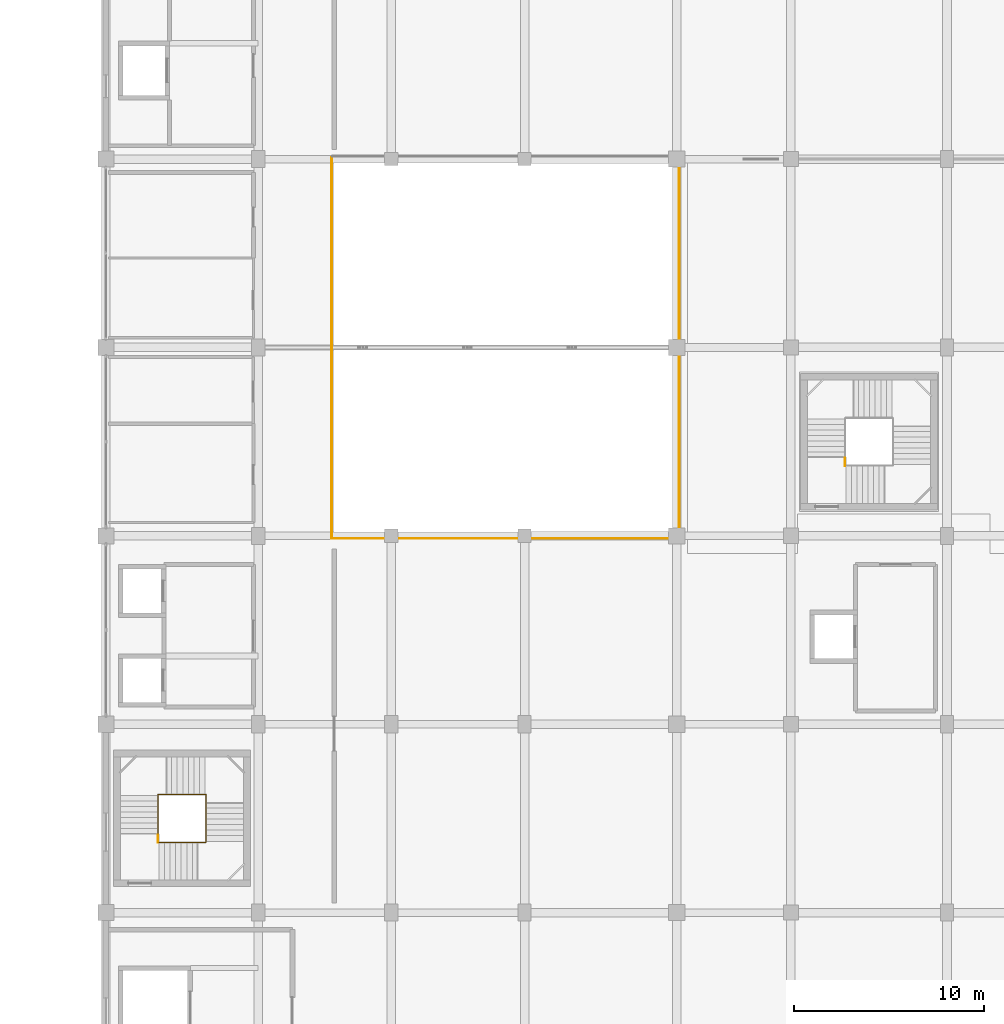
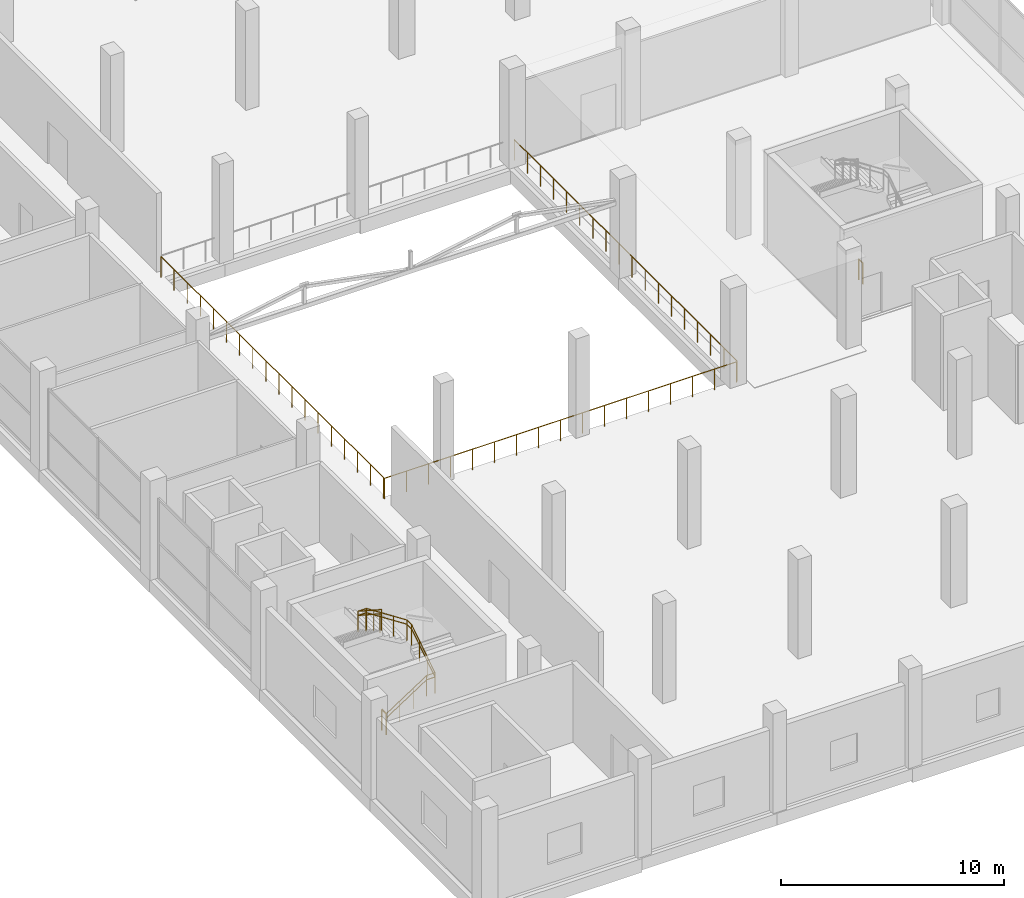
# One storey, part 70 of 74: 7 railings.
"""IFC4 building model written with IfcOpenShell, lengths in metres."""

from ifc_helpers import new_model, si_unit, direction, frame, origin, origin_2d, place, context, subcontext, project, spatial, circle, extrude, material, type_object, element, save


model = new_model("IFC4")

# Units and contexts
model_context = context("Model", 3, precision=1e-05, world=origin(), true_north=direction((0.0, 1.0)))
body_context = subcontext(model_context, "Body", "Model", "MODEL_VIEW")
ifc_project = project(units=[si_unit("LENGTHUNIT", "METRE"), si_unit("AREAUNIT", "SQUARE_METRE"), si_unit("VOLUMEUNIT", "CUBIC_METRE"), si_unit("PLANEANGLEUNIT", "RADIAN"), si_unit("MASSUNIT", "GRAM", prefix="KILO")], contexts=[model_context])

# Site, building, storey
site_placement = place(None, origin())
site = spatial("IfcSite", under=ifc_project, at=site_placement, CompositionType="ELEMENT")
building_placement = place(site_placement, origin())
building = spatial("IfcBuilding", under=site, at=building_placement, Name="Sillaruma Civic Art Gallery", CompositionType="ELEMENT")
storey_placement = place(building_placement, frame((0.0, 0.0, 5.43994140625)))
storey = spatial("IfcBuildingStorey", under=building, at=storey_placement, Name="L01", CompositionType="ELEMENT", Elevation=5.43994140625)

# Railings
ifc_material = material(Name="Stainless Steel AISI 316", Category="steel")
railing_type_1 = type_object("IfcRailingType", Name="RAL-BAL-1150", PredefinedType="BALUSTRADE", material=ifc_material)
railing_1_placement = place(storey_placement, frame((64.739990234375, 33.389892578125, 0.0)))
element("IfcRailing", 1, at=railing_1_placement, inside=storey, type_object=railing_type_1, Name="Stair Floor Edge Guard (ST-03:L01)", PredefinedType="BALUSTRADE", context=body_context, shape_type="SweptSolid", body=[
    extrude(circle(Radius=0.02392578125, at=origin_2d()), frame((0.0, 0.0, 1.1259765625), z_axis=(0.0, 1.0, 0.0), x_axis=(-1.0, 0.0, 0.0)), (0.0, 0.0, 1.0), 0.39013671875),
    extrude(circle(Radius=0.02099609375, at=origin_2d()), origin(), (0.0, 0.0, 1.0), 1.101806640625),
    extrude(circle(Radius=0.02099609375, at=origin_2d()), frame((0.0, 0.39013671875, 0.0)), (0.0, 0.0, 1.0), 1.101806640625),
])
railing_2_placement = place(storey_placement, frame((64.739990234375, 33.389892578125, 0.0)))
element("IfcRailing", 2, at=railing_2_placement, inside=storey, type_object=railing_type_1, Name="Stair Well Balustrade (ST-03-L01)", PredefinedType="BALUSTRADE", context=body_context, shape_type="SweptSolid", body=[
    extrude(circle(Radius=0.02392578125, at=origin_2d()), frame((0.0, 0.0, 1.1259765625), z_axis=(0.838159424827, 0.0, 0.545425318971), x_axis=(0.0, 1.0, 0.0)), (0.0, 0.0, 1.0), 2.49365234375),
    extrude(circle(Radius=0.02392578125, at=origin_2d()), frame((2.090087890625, 0.0, 2.48583984375), z_axis=(1.0, 0.0, 0.0), x_axis=(0.0, 1.0, 0.0)), (0.0, 0.0, 1.0), 0.429931640625),
    extrude(circle(Radius=0.02392578125, at=origin_2d()), frame((2.52001953125, 0.0, 2.48583984375), z_axis=(0.0, 0.838204181713, 0.545356534534), x_axis=(-1.0, 0.0, 0.0)), (0.0, 0.0, 1.0), 2.49365234375),
    extrude(circle(Radius=0.02392578125, at=origin_2d()), frame((2.52001953125, 2.090087890625, 3.845703125), z_axis=(0.0, 1.0, 0.0), x_axis=(-1.0, 0.0, 0.0)), (0.0, 0.0, 1.0), 0.429931640625),
    extrude(circle(Radius=0.02392578125, at=origin_2d()), frame((2.52001953125, 2.52001953125, 3.845703125), z_axis=(-0.838159424827, 0.0, 0.545425318971), x_axis=(0.0, -1.0, 0.0)), (0.0, 0.0, 1.0), 2.49365234375),
    extrude(circle(Radius=0.02392578125, at=origin_2d()), frame((0.429931640625, 2.52001953125, 5.2060546875), z_axis=(-1.0, 0.0, 0.0), x_axis=(0.0, -1.0, 0.0)), (0.0, 0.0, 1.0), 0.429931640625),
    extrude(circle(Radius=0.02392578125, at=origin_2d()), frame((0.0, 2.52001953125, 5.2060546875), z_axis=(0.0, -0.838175058464, 0.545401293883), x_axis=(1.0, 0.0, 0.0)), (0.0, 0.0, 1.0), 2.493408203125),
    extrude(circle(Radius=0.02099609375, at=origin_2d()), origin(), (0.0, 0.0, 1.0), 1.101806640625),
    extrude(circle(Radius=0.02099609375, at=origin_2d()), frame((0.69677734375, 0.0, 0.453369140625)), (0.0, 0.0, 1.0), 1.101806640625),
    extrude(circle(Radius=0.02099609375, at=origin_2d()), frame((1.393310546875, 0.0, 0.90673828125)), (0.0, 0.0, 1.0), 1.101806640625),
    extrude(circle(Radius=0.02099609375, at=origin_2d()), frame((2.090087890625, 0.0, 1.360107421875)), (0.0, 0.0, 1.0), 1.101806640625),
    extrude(circle(Radius=0.02099609375, at=origin_2d()), frame((2.52001953125, 0.0, 1.360107421875)), (0.0, 0.0, 1.0), 1.101806640625),
    extrude(circle(Radius=0.02099609375, at=origin_2d()), frame((2.52001953125, 0.69677734375, 1.8134765625)), (0.0, 0.0, 1.0), 1.101806640625),
    extrude(circle(Radius=0.02099609375, at=origin_2d()), frame((2.52001953125, 1.393310546875, 2.2666015625)), (0.0, 0.0, 1.0), 1.101806640625),
    extrude(circle(Radius=0.02099609375, at=origin_2d()), frame((2.52001953125, 2.090087890625, 2.719970703125)), (0.0, 0.0, 1.0), 1.101806640625),
    extrude(circle(Radius=0.02099609375, at=origin_2d()), frame((2.52001953125, 2.52001953125, 2.719970703125)), (0.0, 0.0, 1.0), 1.101806640625),
    extrude(circle(Radius=0.02099609375, at=origin_2d()), frame((1.8232421875, 2.52001953125, 3.17333984375)), (0.0, 0.0, 1.0), 1.101806640625),
    extrude(circle(Radius=0.02099609375, at=origin_2d()), frame((1.126708984375, 2.52001953125, 3.626708984375)), (0.0, 0.0, 1.0), 1.101806640625),
    extrude(circle(Radius=0.02099609375, at=origin_2d()), frame((0.429931640625, 2.52001953125, 4.080078125)), (0.0, 0.0, 1.0), 1.101806640625),
    extrude(circle(Radius=0.02099609375, at=origin_2d()), frame((0.0, 2.52001953125, 4.080078125)), (0.0, 0.0, 1.0), 1.101806640625),
    extrude(circle(Radius=0.02099609375, at=origin_2d()), frame((0.0, 1.823486328125, 4.533447265625)), (0.0, 0.0, 1.0), 1.101806640625),
    extrude(circle(Radius=0.02099609375, at=origin_2d()), frame((0.0, 1.126708984375, 4.986572265625)), (0.0, 0.0, 1.0), 1.101806640625),
    extrude(circle(Radius=0.02099609375, at=origin_2d()), frame((0.0, 0.43017578125, 5.43994140625)), (0.0, 0.0, 1.0), 1.101806640625),
])
railing_3_placement = place(storey_placement, frame((100.840087890625, 53.18994140625, 0.0)))
element("IfcRailing", 3, at=railing_3_placement, inside=storey, type_object=railing_type_1, Name="Stair Floor Edge Guard (ST-04:L01)", PredefinedType="BALUSTRADE", context=body_context, shape_type="SweptSolid", body=[
    extrude(circle(Radius=0.02392578125, at=origin_2d()), frame((0.0, 0.0, 1.1259765625), z_axis=(0.0, 1.0, 0.0), x_axis=(-1.0, 0.0, 0.0)), (0.0, 0.0, 1.0), 0.39013671875),
    extrude(circle(Radius=0.02099609375, at=origin_2d()), origin(), (0.0, 0.0, 1.0), 1.101806640625),
    extrude(circle(Radius=0.02099609375, at=origin_2d()), frame((0.0, 0.39013671875, 0.0)), (0.0, 0.0, 1.0), 1.101806640625),
])
railing_4_placement = place(storey_placement, frame((73.860107421875, 49.360107421875, 0.0)))
element("IfcRailing", 4, at=railing_4_placement, inside=storey, type_object=railing_type_1, Name="Sculpture Court Upper Void Balustrade (S)", PredefinedType="BALUSTRADE", context=body_context, shape_type="SweptSolid", body=[
    extrude(circle(Radius=0.02392578125, at=origin_2d()), frame((0.0, 0.0, 1.1259765625), z_axis=(1.0, 0.0, 0.0), x_axis=(0.0, 1.0, 0.0)), (0.0, 0.0, 1.0), 18.219970703125),
    extrude(circle(Radius=0.02099609375, at=origin_2d()), origin(), (0.0, 0.0, 1.0), 1.101806640625),
    extrude(circle(Radius=0.02099609375, at=origin_2d()), frame((1.138671875, 0.0, 0.0)), (0.0, 0.0, 1.0), 1.101806640625),
    extrude(circle(Radius=0.02099609375, at=origin_2d()), frame((2.277587890625, 0.0, 0.0)), (0.0, 0.0, 1.0), 1.101806640625),
    extrude(circle(Radius=0.02099609375, at=origin_2d()), frame((3.416259765625, 0.0, 0.0)), (0.0, 0.0, 1.0), 1.101806640625),
    extrude(circle(Radius=0.02099609375, at=origin_2d()), frame((4.554931640625, 0.0, 0.0)), (0.0, 0.0, 1.0), 1.101806640625),
    extrude(circle(Radius=0.02099609375, at=origin_2d()), frame((5.69384765625, 0.0, 0.0)), (0.0, 0.0, 1.0), 1.101806640625),
    extrude(circle(Radius=0.02099609375, at=origin_2d()), frame((6.83251953125, 0.0, 0.0)), (0.0, 0.0, 1.0), 1.101806640625),
    extrude(circle(Radius=0.02099609375, at=origin_2d()), frame((7.97119140625, 0.0, 0.0)), (0.0, 0.0, 1.0), 1.101806640625),
    extrude(circle(Radius=0.02099609375, at=origin_2d()), frame((9.10986328125, 0.0, 0.0)), (0.0, 0.0, 1.0), 1.101806640625),
    extrude(circle(Radius=0.02099609375, at=origin_2d()), frame((10.248779296875, 0.0, 0.0)), (0.0, 0.0, 1.0), 1.101806640625),
    extrude(circle(Radius=0.02099609375, at=origin_2d()), frame((11.387451171875, 0.0, 0.0)), (0.0, 0.0, 1.0), 1.101806640625),
    extrude(circle(Radius=0.02099609375, at=origin_2d()), frame((12.526123046875, 0.0, 0.0)), (0.0, 0.0, 1.0), 1.101806640625),
    extrude(circle(Radius=0.02099609375, at=origin_2d()), frame((13.6650390625, 0.0, 0.0)), (0.0, 0.0, 1.0), 1.101806640625),
    extrude(circle(Radius=0.02099609375, at=origin_2d()), frame((14.8037109375, 0.0, 0.0)), (0.0, 0.0, 1.0), 1.101806640625),
    extrude(circle(Radius=0.02099609375, at=origin_2d()), frame((15.9423828125, 0.0, 0.0)), (0.0, 0.0, 1.0), 1.101806640625),
    extrude(circle(Radius=0.02099609375, at=origin_2d()), frame((17.081298828125, 0.0, 0.0)), (0.0, 0.0, 1.0), 1.101806640625),
    extrude(circle(Radius=0.02099609375, at=origin_2d()), frame((18.219970703125, 0.0, 0.0)), (0.0, 0.0, 1.0), 1.101806640625),
])
railing_5_placement = place(storey_placement, frame((92.139892578125, 49.419921875, 0.0)))
element("IfcRailing", 5, at=railing_5_placement, inside=storey, type_object=railing_type_1, Name="Sculpture Court Upper Void Balustrade (E)", PredefinedType="BALUSTRADE", context=body_context, shape_type="SweptSolid", body=[
    extrude(circle(Radius=0.02392578125, at=origin_2d()), frame((0.0, 0.0, 1.1259765625), z_axis=(0.0, 1.0, 0.0), x_axis=(-1.0, 0.0, 0.0)), (0.0, 0.0, 1.0), 19.9599609375),
    extrude(circle(Radius=0.02099609375, at=origin_2d()), origin(), (0.0, 0.0, 1.0), 1.101806640625),
    extrude(circle(Radius=0.02099609375, at=origin_2d()), frame((0.0, 1.174072265625, 0.0)), (0.0, 0.0, 1.0), 1.101806640625),
    extrude(circle(Radius=0.02099609375, at=origin_2d()), frame((0.0, 2.34814453125, 0.0)), (0.0, 0.0, 1.0), 1.101806640625),
    extrude(circle(Radius=0.02099609375, at=origin_2d()), frame((0.0, 3.5224609375, 0.0)), (0.0, 0.0, 1.0), 1.101806640625),
    extrude(circle(Radius=0.02099609375, at=origin_2d()), frame((0.0, 4.696533203125, 0.0)), (0.0, 0.0, 1.0), 1.101806640625),
    extrude(circle(Radius=0.02099609375, at=origin_2d()), frame((0.0, 5.87060546875, 0.0)), (0.0, 0.0, 1.0), 1.101806640625),
    extrude(circle(Radius=0.02099609375, at=origin_2d()), frame((0.0, 7.044677734375, 0.0)), (0.0, 0.0, 1.0), 1.101806640625),
    extrude(circle(Radius=0.02099609375, at=origin_2d()), frame((0.0, 8.21875, 0.0)), (0.0, 0.0, 1.0), 1.101806640625),
    extrude(circle(Radius=0.02099609375, at=origin_2d()), frame((0.0, 9.392822265625, 0.0)), (0.0, 0.0, 1.0), 1.101806640625),
    extrude(circle(Radius=0.02099609375, at=origin_2d()), frame((0.0, 10.567138671875, 0.0)), (0.0, 0.0, 1.0), 1.101806640625),
    extrude(circle(Radius=0.02099609375, at=origin_2d()), frame((0.0, 11.7412109375, 0.0)), (0.0, 0.0, 1.0), 1.101806640625),
    extrude(circle(Radius=0.02099609375, at=origin_2d()), frame((0.0, 12.915283203125, 0.0)), (0.0, 0.0, 1.0), 1.101806640625),
    extrude(circle(Radius=0.02099609375, at=origin_2d()), frame((0.0, 14.08935546875, 0.0)), (0.0, 0.0, 1.0), 1.101806640625),
    extrude(circle(Radius=0.02099609375, at=origin_2d()), frame((0.0, 15.263427734375, 0.0)), (0.0, 0.0, 1.0), 1.101806640625),
    extrude(circle(Radius=0.02099609375, at=origin_2d()), frame((0.0, 16.4375, 0.0)), (0.0, 0.0, 1.0), 1.101806640625),
    extrude(circle(Radius=0.02099609375, at=origin_2d()), frame((0.0, 17.61181640625, 0.0)), (0.0, 0.0, 1.0), 1.101806640625),
    extrude(circle(Radius=0.02099609375, at=origin_2d()), frame((0.0, 18.785888671875, 0.0)), (0.0, 0.0, 1.0), 1.101806640625),
    extrude(circle(Radius=0.02099609375, at=origin_2d()), frame((0.0, 19.9599609375, 0.0)), (0.0, 0.0, 1.0), 1.101806640625),
])
railing_6_placement = place(storey_placement, frame((73.860107421875, 69.3798828125, 0.0)))
element("IfcRailing", 6, at=railing_6_placement, inside=storey, type_object=railing_type_1, Name="Sculpture Court Upper Void Balustrade (W)", PredefinedType="BALUSTRADE", context=body_context, shape_type="SweptSolid", body=[
    extrude(circle(Radius=0.02392578125, at=origin_2d()), frame((0.0, 0.0, 1.1259765625), z_axis=(0.0, -1.0, 0.0), x_axis=(1.0, 0.0, 0.0)), (0.0, 0.0, 1.0), 19.9599609375),
    extrude(circle(Radius=0.02099609375, at=origin_2d()), origin(), (0.0, 0.0, 1.0), 1.101806640625),
    extrude(circle(Radius=0.02099609375, at=origin_2d()), frame((0.0, -1.174072265625, 0.0)), (0.0, 0.0, 1.0), 1.101806640625),
    extrude(circle(Radius=0.02099609375, at=origin_2d()), frame((0.0, -2.34814453125, 0.0)), (0.0, 0.0, 1.0), 1.101806640625),
    extrude(circle(Radius=0.02099609375, at=origin_2d()), frame((0.0, -3.5224609375, 0.0)), (0.0, 0.0, 1.0), 1.101806640625),
    extrude(circle(Radius=0.02099609375, at=origin_2d()), frame((0.0, -4.696533203125, 0.0)), (0.0, 0.0, 1.0), 1.101806640625),
    extrude(circle(Radius=0.02099609375, at=origin_2d()), frame((0.0, -5.87060546875, 0.0)), (0.0, 0.0, 1.0), 1.101806640625),
    extrude(circle(Radius=0.02099609375, at=origin_2d()), frame((0.0, -7.044677734375, 0.0)), (0.0, 0.0, 1.0), 1.101806640625),
    extrude(circle(Radius=0.02099609375, at=origin_2d()), frame((0.0, -8.21875, 0.0)), (0.0, 0.0, 1.0), 1.101806640625),
    extrude(circle(Radius=0.02099609375, at=origin_2d()), frame((0.0, -9.392822265625, 0.0)), (0.0, 0.0, 1.0), 1.101806640625),
    extrude(circle(Radius=0.02099609375, at=origin_2d()), frame((0.0, -10.567138671875, 0.0)), (0.0, 0.0, 1.0), 1.101806640625),
    extrude(circle(Radius=0.02099609375, at=origin_2d()), frame((0.0, -11.7412109375, 0.0)), (0.0, 0.0, 1.0), 1.101806640625),
    extrude(circle(Radius=0.02099609375, at=origin_2d()), frame((0.0, -12.915283203125, 0.0)), (0.0, 0.0, 1.0), 1.101806640625),
    extrude(circle(Radius=0.02099609375, at=origin_2d()), frame((0.0, -14.08935546875, 0.0)), (0.0, 0.0, 1.0), 1.101806640625),
    extrude(circle(Radius=0.02099609375, at=origin_2d()), frame((0.0, -15.263427734375, 0.0)), (0.0, 0.0, 1.0), 1.101806640625),
    extrude(circle(Radius=0.02099609375, at=origin_2d()), frame((0.0, -16.4375, 0.0)), (0.0, 0.0, 1.0), 1.101806640625),
    extrude(circle(Radius=0.02099609375, at=origin_2d()), frame((0.0, -17.61181640625, 0.0)), (0.0, 0.0, 1.0), 1.101806640625),
    extrude(circle(Radius=0.02099609375, at=origin_2d()), frame((0.0, -18.785888671875, 0.0)), (0.0, 0.0, 1.0), 1.101806640625),
    extrude(circle(Radius=0.02099609375, at=origin_2d()), frame((0.0, -19.9599609375, 0.0)), (0.0, 0.0, 1.0), 1.101806640625),
])
railing_type_2 = type_object("IfcRailingType", Name="RAL-HND-920", PredefinedType="HANDRAIL", material=ifc_material)
railing_7_placement = place(storey_placement, frame((64.739990234375, 33.389892578125, 0.0)))
element("IfcRailing", 7, at=railing_7_placement, inside=storey, type_object=railing_type_2, Name="Stair Continuous Handrail (ST-03-L01)", PredefinedType="HANDRAIL", context=body_context, shape_type="SweptSolid", body=[
    extrude(circle(Radius=0.02392578125, at=origin_2d()), frame((0.0, 0.0, 0.89599609375), z_axis=(0.838159424827, 0.0, 0.545425318971), x_axis=(0.0, 1.0, 0.0)), (0.0, 0.0, 1.0), 2.49365234375),
    extrude(circle(Radius=0.02392578125, at=origin_2d()), frame((2.090087890625, 0.0, 2.255859375), z_axis=(1.0, 0.0, 0.0), x_axis=(0.0, 1.0, 0.0)), (0.0, 0.0, 1.0), 0.429931640625),
    extrude(circle(Radius=0.02392578125, at=origin_2d()), frame((2.52001953125, 0.0, 2.255859375), z_axis=(0.0, 0.838204181713, 0.545356534534), x_axis=(-1.0, 0.0, 0.0)), (0.0, 0.0, 1.0), 2.49365234375),
    extrude(circle(Radius=0.02392578125, at=origin_2d()), frame((2.52001953125, 2.090087890625, 3.61572265625), z_axis=(0.0, 1.0, 0.0), x_axis=(-1.0, 0.0, 0.0)), (0.0, 0.0, 1.0), 0.429931640625),
    extrude(circle(Radius=0.02392578125, at=origin_2d()), frame((2.52001953125, 2.52001953125, 3.61572265625), z_axis=(-0.838159424827, 0.0, 0.545425318971), x_axis=(0.0, -1.0, 0.0)), (0.0, 0.0, 1.0), 2.49365234375),
    extrude(circle(Radius=0.02392578125, at=origin_2d()), frame((0.429931640625, 2.52001953125, 4.97607421875), z_axis=(-1.0, 0.0, 0.0), x_axis=(0.0, -1.0, 0.0)), (0.0, 0.0, 1.0), 0.429931640625),
    extrude(circle(Radius=0.02392578125, at=origin_2d()), frame((0.0, 2.52001953125, 4.97607421875), z_axis=(0.0, -0.838175058464, 0.545401293883), x_axis=(1.0, 0.0, 0.0)), (0.0, 0.0, 1.0), 2.493408203125),
    extrude(circle(Radius=0.02099609375, at=origin_2d()), origin(), (0.0, 0.0, 1.0), 0.871826171875),
    extrude(circle(Radius=0.02099609375, at=origin_2d()), frame((0.69677734375, 0.0, 0.453369140625)), (0.0, 0.0, 1.0), 0.871826171875),
    extrude(circle(Radius=0.02099609375, at=origin_2d()), frame((1.393310546875, 0.0, 0.90673828125)), (0.0, 0.0, 1.0), 0.871826171875),
    extrude(circle(Radius=0.02099609375, at=origin_2d()), frame((2.090087890625, 0.0, 1.360107421875)), (0.0, 0.0, 1.0), 0.871826171875),
    extrude(circle(Radius=0.02099609375, at=origin_2d()), frame((2.52001953125, 0.0, 1.360107421875)), (0.0, 0.0, 1.0), 0.871826171875),
    extrude(circle(Radius=0.02099609375, at=origin_2d()), frame((2.52001953125, 0.69677734375, 1.8134765625)), (0.0, 0.0, 1.0), 0.871826171875),
    extrude(circle(Radius=0.02099609375, at=origin_2d()), frame((2.52001953125, 1.393310546875, 2.2666015625)), (0.0, 0.0, 1.0), 0.871826171875),
    extrude(circle(Radius=0.02099609375, at=origin_2d()), frame((2.52001953125, 2.090087890625, 2.719970703125)), (0.0, 0.0, 1.0), 0.871826171875),
    extrude(circle(Radius=0.02099609375, at=origin_2d()), frame((2.52001953125, 2.52001953125, 2.719970703125)), (0.0, 0.0, 1.0), 0.871826171875),
    extrude(circle(Radius=0.02099609375, at=origin_2d()), frame((1.8232421875, 2.52001953125, 3.17333984375)), (0.0, 0.0, 1.0), 0.871826171875),
    extrude(circle(Radius=0.02099609375, at=origin_2d()), frame((1.126708984375, 2.52001953125, 3.626708984375)), (0.0, 0.0, 1.0), 0.871826171875),
    extrude(circle(Radius=0.02099609375, at=origin_2d()), frame((0.429931640625, 2.52001953125, 4.080078125)), (0.0, 0.0, 1.0), 0.871826171875),
    extrude(circle(Radius=0.02099609375, at=origin_2d()), frame((0.0, 2.52001953125, 4.080078125)), (0.0, 0.0, 1.0), 0.871826171875),
    extrude(circle(Radius=0.02099609375, at=origin_2d()), frame((0.0, 1.823486328125, 4.533447265625)), (0.0, 0.0, 1.0), 0.871826171875),
    extrude(circle(Radius=0.02099609375, at=origin_2d()), frame((0.0, 1.126708984375, 4.986572265625)), (0.0, 0.0, 1.0), 0.871826171875),
    extrude(circle(Radius=0.02099609375, at=origin_2d()), frame((0.0, 0.43017578125, 5.43994140625)), (0.0, 0.0, 1.0), 0.871826171875),
])

save(model, "model.ifc")
